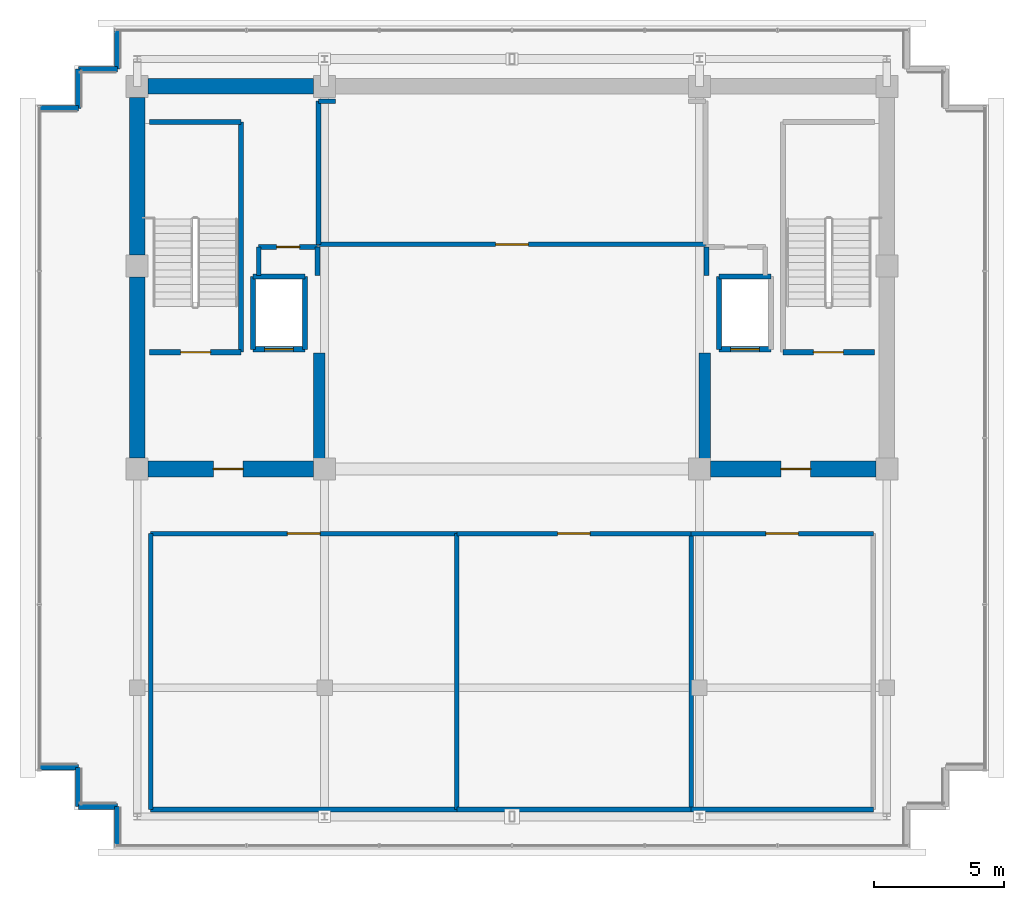
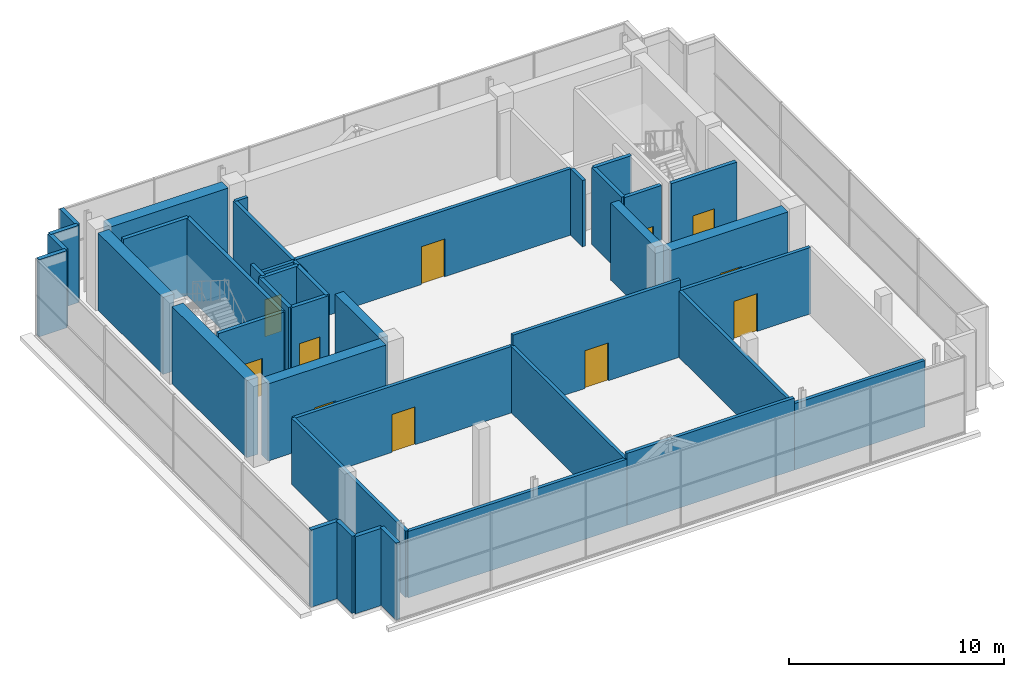
# One storey, part 25 of 28: 42 walls, 11 doors, 11 openings.
"""IFC4 building model written with IfcOpenShell, lengths in metres."""

from ifc_helpers import new_model, si_unit, direction, frame, frame_2d, origin, place, context, subcontext, project, spatial, rectangle, extrude, source, transform, mapped, material, layer, layer_set, type_object, element, fill, save


model = new_model("IFC4")

# Units and contexts
model_context = context("Model", 3, precision=1e-05, world=origin(), true_north=direction((0.0, 1.0)))
body_context = subcontext(model_context, "Body", "Model", "MODEL_VIEW")
ifc_project = project(units=[si_unit("LENGTHUNIT", "METRE"), si_unit("AREAUNIT", "SQUARE_METRE"), si_unit("VOLUMEUNIT", "CUBIC_METRE"), si_unit("PLANEANGLEUNIT", "RADIAN"), si_unit("MASSUNIT", "GRAM", prefix="KILO")], contexts=[model_context])

# Site, building, storey
site_placement = place(None, origin())
site = spatial("IfcSite", under=ifc_project, at=site_placement, CompositionType="ELEMENT")
building_placement = place(site_placement, origin())
building = spatial("IfcBuilding", under=site, at=building_placement, Name="Zarnakvel Exchange Tower", CompositionType="ELEMENT")
storey_placement = place(building_placement, frame((0.0, 0.0, 290.0)))
storey = spatial("IfcBuildingStorey", under=building, at=storey_placement, Name="Crown L81", CompositionType="ELEMENT", Elevation=290.0)

# Walls
ifc_material_1 = material(Name="Concrete C50/60", Category="concrete")
ifc_layer_1 = layer(ifc_material_1, 0.60009765625)
ifc_layer_set_1 = layer_set([ifc_layer_1], Name="Concrete C50/60")
wall_type_1 = type_object("IfcWallType", Name="CW-C5", PredefinedType="SHEAR", material=ifc_layer_set_1)
wall_1_placement = place(storey_placement, frame((-13.97509765625, 13.5, 0.0), z_axis=(0.0, 0.0, 1.0), x_axis=(1.0, 0.0, 0.0)))
element("IfcWall", 1, at=wall_1_placement, inside=storey, type_object=wall_type_1, Name="Crown L81 Rear Core Shear Wall N1 (CW-C5)", PredefinedType="SHEAR", context=body_context, shape_type="SweptSolid", body=[
    extrude(rectangle(XDim=6.35009765625, YDim=0.60009765625, at=frame_2d((3.175048828125, 0.0))), origin(), (0.0, 0.0, 1.0), 4.3798828125),
])
wall_2_placement = place(storey_placement, frame((-14.39990234375, -0.77490234375, 0.0), z_axis=(0.0, 0.0, 1.0), x_axis=(0.0, 1.0, 0.0)))
element("IfcWall", 2, at=wall_2_placement, inside=storey, type_object=wall_type_1, Name="Crown L81 Rear Core Shear Wall W1 (CW-C5)", PredefinedType="SHEAR", context=body_context, shape_type="SweptSolid", body=[
    extrude(rectangle(XDim=6.949951171875, YDim=0.60009765625, at=frame_2d((3.47509765625, 0.0))), origin(), (0.0, 0.0, 1.0), 4.3798828125),
])
wall_3_placement = place(storey_placement, frame((-14.39990234375, 7.02490234375, 0.0), z_axis=(0.0, 0.0, 1.0), x_axis=(0.0, 1.0, 0.0)))
element("IfcWall", 3, at=wall_3_placement, inside=storey, type_object=wall_type_1, Name="Crown L81 Rear Core Shear Wall W2 (CW-C5)", PredefinedType="SHEAR", context=body_context, shape_type="SweptSolid", body=[
    extrude(rectangle(XDim=6.050048828125, YDim=0.60009765625, at=frame_2d((3.02490234375, 0.0))), origin(), (0.0, 0.0, 1.0), 4.3798828125),
])

# Wall, opening, door
wall_4_placement = place(storey_placement, frame((-7.625, -1.199951171875, 0.0), z_axis=(0.0, 0.0, 1.0), x_axis=(-1.0, 0.0, 0.0)))
wall_4 = element("IfcWall", 4, at=wall_4_placement, inside=storey, type_object=wall_type_1, Name="Crown L81 Rear Core Shear Wall SW (CW-C5)", PredefinedType="SHEAR", context=body_context, shape_type="SweptSolid", body=[
    extrude(rectangle(XDim=6.35009765625, YDim=0.60009765625, at=frame_2d((3.175048828125, 0.0))), origin(), (0.0, 0.0, 1.0), 4.3798828125),
])
opening_1_placement = place(wall_4_placement, frame((2.699951171875, 0.0, 0.0)))
opening_1 = element("IfcOpeningElement", 5, at=opening_1_placement, cuts=wall_4, Name="Opening D-Crown L81-03", PredefinedType="OPENING", context=body_context, shape_type="SweptSolid", body=[
    extrude(rectangle(XDim=1.14990234375, YDim=2.14990234375, at=frame_2d((0.574951171875, 1.074951171875))), frame((0.0, 0.31005859375, 0.0), z_axis=(0.0, -1.0, 0.0), x_axis=(1.0, 0.0, 0.0)), (0.0, 0.0, 1.0), 0.6201171875),
])
ifc_material_2 = material(Name="Painted Galvanised Steel S355", Category="steel")
door_type_1 = type_object("IfcDoorType", Name="DT-04", OperationType="NOTDEFINED", PredefinedType="DOOR", material=ifc_material_2)
shared_shape_1 = source(origin(), body_context, "Body", "SweptSolid", [
    extrude(rectangle(XDim=1.14990234375, YDim=2.14990234375, at=frame_2d((0.574951171875, 1.074951171875))), frame((0.0, 0.02490234375, 0.0), z_axis=(0.0, -1.0, 0.0), x_axis=(1.0, 0.0, 0.0)), (0.0, 0.0, 1.0), 0.050048828125),
])
door_1_placement = place(opening_1_placement, origin())
door_1 = element("IfcDoor", 6, at=door_1_placement, inside=storey, type_object=door_type_1, Name="Crown L81 Firefighting Lobby West Door D-Crown L81-03", OperationType="SINGLE_SWING_LEFT", OverallHeight=2.14990234375, OverallWidth=1.14990234375, PredefinedType="DOOR", context=body_context, shape_type="MappedRepresentation", body=[
    mapped(shared_shape_1, transform((0.0, 0.0, 0.0), x_axis=(1.0, 0.0, 0.0), y_axis=(0.0, 1.0, 0.0), z_axis=(0.0, 0.0, 1.0), scale=1.0)),
])
fill(opening_1, door_1)

wall_5_placement = place(storey_placement, frame((13.97509765625, -1.199951171875, 0.0), z_axis=(0.0, 0.0, 1.0), x_axis=(-1.0, 0.0, 0.0)))
wall_5 = element("IfcWall", 7, at=wall_5_placement, inside=storey, type_object=wall_type_1, Name="Crown L81 Rear Core Shear Wall SE (CW-C5)", PredefinedType="SHEAR", context=body_context, shape_type="SweptSolid", body=[
    extrude(rectangle(XDim=6.35009765625, YDim=0.60009765625, at=frame_2d((3.175048828125, 0.0))), origin(), (0.0, 0.0, 1.0), 4.3798828125),
])
opening_2_placement = place(wall_5_placement, frame((2.5, 0.0, 0.0)))
opening_2 = element("IfcOpeningElement", 8, at=opening_2_placement, cuts=wall_5, Name="Opening D-Crown L81-04", PredefinedType="OPENING", context=body_context, shape_type="SweptSolid", body=[
    extrude(rectangle(XDim=1.14990234375, YDim=2.14990234375, at=frame_2d((0.574951171875, 1.074951171875))), frame((0.0, 0.31005859375, 0.0), z_axis=(0.0, -1.0, 0.0), x_axis=(1.0, 0.0, 0.0)), (0.0, 0.0, 1.0), 0.6201171875),
])
door_2_placement = place(opening_2_placement, origin())
door_2 = element("IfcDoor", 9, at=door_2_placement, inside=storey, type_object=door_type_1, Name="Crown L81 Firefighting Lobby East Door D-Crown L81-04", OperationType="SINGLE_SWING_RIGHT", OverallHeight=2.14990234375, OverallWidth=1.14990234375, PredefinedType="DOOR", context=body_context, shape_type="MappedRepresentation", body=[
    mapped(shared_shape_1, transform((0.0, 0.0, 0.0), x_axis=(1.0, 0.0, 0.0), y_axis=(0.0, 1.0, 0.0), z_axis=(0.0, 0.0, 1.0), scale=1.0)),
])
fill(opening_2, door_2)

# Walls
ifc_layer_2 = layer(ifc_material_1, 0.449951171875)
ifc_layer_set_2 = layer_set([ifc_layer_2], Name="Concrete C50/60")
wall_type_2 = type_object("IfcWallType", Name="CW-C6", PredefinedType="SHEAR", material=ifc_layer_set_2)
for number, where, z_axis, x_axis, name in (
    (10, (-7.39990234375, -0.89990234375, 0.0), (0.0, 0.0, 1.0), (0.0, 1.0, 0.0), "Crown L81 Rear Core Shear Wall IW (CW-C6)"),
    (11, (7.39990234375, -0.89990234375, 0.0), (0.0, 0.0, 1.0), (0.0, 1.0, 0.0), "Crown L81 Rear Core Shear Wall IE (CW-C6)"),
):
    element("IfcWall", number, at=place(storey_placement, frame(where, z_axis=z_axis, x_axis=x_axis)), inside=storey, type_object=wall_type_2, Name=name, PredefinedType="SHEAR", context=body_context, shape_type="SweptSolid", body=[
        extrude(rectangle(XDim=4.14990234375, YDim=0.449951171875, at=frame_2d((2.074951171875, 0.0))), origin(), (0.0, 0.0, 1.0), 4.3798828125),
    ])
ifc_material_3 = material(Name="Precast concrete C40/50", Category="concrete")
ifc_layer_3 = layer(ifc_material_3, 0.219970703125)
ifc_layer_set_3 = layer_set([ifc_layer_3], Name="Precast concrete C40/50")
wall_type_3 = type_object("IfcWallType", Name="EW-03", PredefinedType="SOLIDWALL", material=ifc_layer_set_3)
for number, where, z_axis, x_axis, name in (
    (12, (-16.659912109375, 12.659912109375, 0.0), (0.0, 0.0, 1.0), (-1.0, 0.0, 0.0), "Crown L81 Exterior Precast Spandrel Wall EW-Crown L81-C02 (EW-03)"),
    (13, (-16.659912109375, 14.159912109375, 0.0), (0.0, 0.0, 1.0), (0.0, -1.0, 0.0), "Crown L81 Exterior Precast Spandrel Wall EW-Crown L81-C03 (EW-03)"),
    (14, (-15.159912109375, 14.159912109375, 0.0), (0.0, 0.0, 1.0), (-1.0, 0.0, 0.0), "Crown L81 Exterior Precast Spandrel Wall EW-Crown L81-C04 (EW-03)"),
    (15, (-15.159912109375, 15.659912109375, 0.0), (0.0, 0.0, 1.0), (0.0, -1.0, 0.0), "Crown L81 Exterior Precast Spandrel Wall EW-Crown L81-C05 (EW-03)"),
    (16, (-15.159912109375, -14.159912109375, 0.0), (0.0, 0.0, 1.0), (0.0, -1.0, 0.0), "Crown L81 Exterior Precast Spandrel Wall EW-Crown L81-C17 (EW-03)"),
    (17, (-16.659912109375, -14.159912109375, 0.0), (0.0, 0.0, 1.0), (1.0, 0.0, 0.0), "Crown L81 Exterior Precast Spandrel Wall EW-Crown L81-C18 (EW-03)"),
    (18, (-16.659912109375, -12.659912109375, 0.0), (0.0, 0.0, 1.0), (0.0, -1.0, 0.0), "Crown L81 Exterior Precast Spandrel Wall EW-Crown L81-C19 (EW-03)"),
    (19, (-18.159912109375, -12.659912109375, 0.0), (0.0, 0.0, 1.0), (1.0, 0.0, 0.0), "Crown L81 Exterior Precast Spandrel Wall EW-Crown L81-C20 (EW-03)"),
):
    element("IfcWall", number, at=place(storey_placement, frame(where, z_axis=z_axis, x_axis=x_axis)), inside=storey, type_object=wall_type_3, Name=name, PredefinedType="SOLIDWALL", context=body_context, shape_type="SweptSolid", body=[
        extrude(rectangle(XDim=1.5, YDim=0.219970703125, at=frame_2d((0.75, 0.0))), origin(), (0.0, 0.0, 1.0), 4.3798828125),
    ])

# Wall, opening, door
ifc_material_4 = material(Name="Fire-Rated Gypsum Stud Partition", Category="gypsum")
ifc_layer_4 = layer(ifc_material_4, 0.179931640625)
ifc_layer_set_4 = layer_set([ifc_layer_4], Name="Fire-Rated Gypsum Stud Partition")
wall_type_4 = type_object("IfcWallType", Name="PT-02", PredefinedType="PARTITIONING", material=ifc_layer_set_4)
wall_6_placement = place(storey_placement, frame((7.429931640625, 7.429931640625, 0.0), z_axis=(0.0, 0.0, 1.0), x_axis=(-1.0, 0.0, 0.0)))
wall_6 = element("IfcWall", 20, at=wall_6_placement, inside=storey, type_object=wall_type_4, Name="Crown L81 Partition Wall PWALL-Crown L81-007 (PT-02)", PredefinedType="PARTITIONING", context=body_context, shape_type="SweptSolid", body=[
    extrude(rectangle(XDim=14.85986328125, YDim=0.179931640625, at=frame_2d((7.429931640625, 0.0))), origin(), (0.0, 0.0, 1.0), 3.77001953125),
])
opening_3_placement = place(wall_6_placement, frame((6.804931640625, 0.0, 0.0)))
opening_3 = element("IfcOpeningElement", 21, at=opening_3_placement, cuts=wall_6, Name="Opening D-Crown L81-05", PredefinedType="OPENING", context=body_context, shape_type="SweptSolid", body=[
    extrude(rectangle(XDim=1.25, YDim=2.14990234375, at=frame_2d((0.625, 1.074951171875))), frame((0.0, 0.099853515625, 0.0), z_axis=(0.0, -1.0, 0.0), x_axis=(1.0, 0.0, 0.0)), (0.0, 0.0, 1.0), 0.199951171875),
])
door_type_2 = type_object("IfcDoorType", Name="DT-06", OperationType="NOTDEFINED", PredefinedType="DOOR", material=ifc_material_2)
shared_shape_2 = source(origin(), body_context, "Body", "SweptSolid", [
    extrude(rectangle(XDim=1.25, YDim=2.14990234375, at=frame_2d((0.625, 1.074951171875))), frame((0.0, 0.02490234375, 0.0), z_axis=(0.0, -1.0, 0.0), x_axis=(1.0, 0.0, 0.0)), (0.0, 0.0, 1.0), 0.050048828125),
])
door_3_placement = place(opening_3_placement, origin())
door_3 = element("IfcDoor", 22, at=door_3_placement, inside=storey, type_object=door_type_2, Name="Crown L81 High-Rise Lift Machine Room Door D-Crown L81-05", OperationType="SINGLE_SWING_LEFT", OverallHeight=2.14990234375, OverallWidth=1.25, PredefinedType="DOOR", context=body_context, shape_type="MappedRepresentation", body=[
    mapped(shared_shape_2, transform((0.0, 0.0, 0.0), x_axis=(1.0, 0.0, 0.0), y_axis=(0.0, 1.0, 0.0), z_axis=(0.0, 0.0, 1.0), scale=1.0)),
])
fill(opening_3, door_3)

# Walls
wall_7_placement = place(storey_placement, frame((-7.429931640625, 12.929931640625, 0.0), z_axis=(0.0, 0.0, 1.0), x_axis=(1.0, 0.0, 0.0)))
element("IfcWall", 23, at=wall_7_placement, inside=storey, type_object=wall_type_4, Name="Crown L81 Partition Wall PWALL-Crown L81-008 (PT-02)", PredefinedType="PARTITIONING", context=body_context, shape_type="SweptSolid", body=[
    extrude(rectangle(XDim=0.655029296875, YDim=0.179931640625, at=frame_2d((0.32763671875, 0.0))), origin(), (0.0, 0.0, 1.0), 3.77001953125),
])
wall_8_placement = place(storey_placement, frame((-7.429931640625, 7.429931640625, 0.0), z_axis=(0.0, 0.0, 1.0), x_axis=(0.0, 1.0, 0.0)))
element("IfcWall", 24, at=wall_8_placement, inside=storey, type_object=wall_type_4, Name="Crown L81 Partition Wall PWALL-Crown L81-010 (PT-02)", PredefinedType="PARTITIONING", context=body_context, shape_type="SweptSolid", body=[
    extrude(rectangle(XDim=5.5, YDim=0.179931640625, at=frame_2d((2.75, 0.0))), origin(), (0.0, 0.0, 1.0), 3.77001953125),
])

# Wall, opening, door
wall_9_placement = place(storey_placement, frame((-9.72998046875, 7.330078125, 0.0), z_axis=(0.0, 0.0, 1.0), x_axis=(1.0, 0.0, 0.0)))
wall_9 = element("IfcWall", 25, at=wall_9_placement, inside=storey, type_object=wall_type_4, Name="Crown L81 Partition Wall PWALL-Crown L81-012 (PT-02)", PredefinedType="PARTITIONING", context=body_context, shape_type="SweptSolid", body=[
    extrude(rectangle(XDim=2.260009765625, YDim=0.179931640625, at=frame_2d((1.1298828125, 0.0))), origin(), (0.0, 0.0, 1.0), 3.77001953125),
])
opening_4_placement = place(wall_9_placement, frame((0.68994140625, 0.0, 0.0)))
opening_4 = element("IfcOpeningElement", 26, at=opening_4_placement, cuts=wall_9, Name="Opening D-Crown L81-09", PredefinedType="OPENING", context=body_context, shape_type="SweptSolid", body=[
    extrude(rectangle(XDim=0.8798828125, YDim=2.10009765625, at=frame_2d((0.43994140625, 1.050048828125))), frame((0.0, 0.099853515625, 0.0), z_axis=(0.0, -1.0, 0.0), x_axis=(1.0, 0.0, 0.0)), (0.0, 0.0, 1.0), 0.199951171875),
])
door_type_3 = type_object("IfcDoorType", Name="DT-08", OperationType="NOTDEFINED", PredefinedType="DOOR", material=ifc_material_2)
shared_shape_3 = source(origin(), body_context, "Body", "SweptSolid", [
    extrude(rectangle(XDim=0.8798828125, YDim=2.10009765625, at=frame_2d((0.43994140625, 1.050048828125))), frame((0.0, 0.02490234375, 0.0), z_axis=(0.0, -1.0, 0.0), x_axis=(1.0, 0.0, 0.0)), (0.0, 0.0, 1.0), 0.050048828125),
])
door_4_placement = place(opening_4_placement, origin())
door_4 = element("IfcDoor", 27, at=door_4_placement, inside=storey, type_object=door_type_3, Name="Crown L81 Electrical Riser Door D-Crown L81-09", OperationType="SINGLE_SWING_LEFT", OverallHeight=2.10009765625, OverallWidth=0.8798828125, PredefinedType="DOOR", context=body_context, shape_type="MappedRepresentation", body=[
    mapped(shared_shape_3, transform((0.0, 0.0, 0.0), x_axis=(1.0, 0.0, 0.0), y_axis=(0.0, 1.0, 0.0), z_axis=(0.0, 0.0, 1.0), scale=1.0)),
])
fill(opening_4, door_4)

# Walls
wall_10_placement = place(storey_placement, frame((-9.72998046875, 6.239990234375, 0.0), z_axis=(0.0, 0.0, 1.0), x_axis=(0.0, 1.0, 0.0)))
element("IfcWall", 28, at=wall_10_placement, inside=storey, type_object=wall_type_4, Name="Crown L81 Partition Wall PWALL-Crown L81-013 (PT-02)", PredefinedType="PARTITIONING", context=body_context, shape_type="SweptSolid", body=[
    extrude(rectangle(XDim=1.090087890625, YDim=0.179931640625, at=frame_2d((0.544921875, 0.0))), origin(), (0.0, 0.0, 1.0), 4.3798828125),
])
for number, where, z_axis, x_axis, name in (
    (29, (-7.469970703125, 7.330078125, 0.0), (0.0, 0.0, 1.0), (0.0, -1.0, 0.0), "Crown L81 Partition Wall PWALL-Crown L81-014 (PT-02)"),
    (30, (7.469970703125, 6.239990234375, 0.0), (0.0, 0.0, 1.0), (0.0, 1.0, 0.0), "Crown L81 Partition Wall PWALL-Crown L81-016 (PT-02)"),
):
    element("IfcWall", number, at=place(storey_placement, frame(where, z_axis=z_axis, x_axis=x_axis)), inside=storey, type_object=wall_type_4, Name=name, PredefinedType="PARTITIONING", context=body_context, shape_type="SweptSolid", body=[
        extrude(rectangle(XDim=1.090087890625, YDim=0.179931640625, at=frame_2d((0.544921875, 0.0))), origin(), (0.0, 0.0, 1.0), 3.77001953125),
    ])
wall_11_placement = place(storey_placement, frame((-2.1201171875, -14.280029296875, 0.0), z_axis=(0.0, 0.0, 1.0), x_axis=(-1.0, 0.0, 0.0)))
element("IfcWall", 31, at=wall_11_placement, inside=storey, type_object=wall_type_4, Name="Crown L81 Partition Wall PWALL-Crown L81-018 (PT-02)", PredefinedType="PARTITIONING", context=body_context, shape_type="SweptSolid", body=[
    extrude(rectangle(XDim=11.759765625, YDim=0.179931640625, at=frame_2d((5.8798828125, 0.0))), origin(), (0.0, 0.0, 1.0), 3.77001953125),
])

# Wall, opening, door
wall_12_placement = place(storey_placement, frame((-13.8798828125, -3.679931640625, 0.0), z_axis=(0.0, 0.0, 1.0), x_axis=(1.0, 0.0, 0.0)))
wall_12 = element("IfcWall", 32, at=wall_12_placement, inside=storey, type_object=wall_type_4, Name="Crown L81 Partition Wall PWALL-Crown L81-019 (PT-02)", PredefinedType="PARTITIONING", context=body_context, shape_type="SweptSolid", body=[
    extrude(rectangle(XDim=11.759765625, YDim=0.179931640625, at=frame_2d((5.8798828125, 0.0))), origin(), (0.0, 0.0, 1.0), 3.77001953125),
])
opening_5_placement = place(wall_12_placement, frame((5.2548828125, 0.0, 0.0)))
opening_5 = element("IfcOpeningElement", 33, at=opening_5_placement, cuts=wall_12, Name="Opening D-Crown L81-06", PredefinedType="OPENING", context=body_context, shape_type="SweptSolid", body=[
    extrude(rectangle(XDim=1.25, YDim=2.14990234375, at=frame_2d((0.625, 1.074951171875))), frame((0.0, 0.099853515625, 0.0), z_axis=(0.0, -1.0, 0.0), x_axis=(1.0, 0.0, 0.0)), (0.0, 0.0, 1.0), 0.199951171875),
])
door_5_placement = place(opening_5_placement, origin())
door_5 = element("IfcDoor", 34, at=door_5_placement, inside=storey, type_object=door_type_2, Name="Crown L81 Rainwater Harvesting Tank Room Door D-Crown L81-06", OperationType="SINGLE_SWING_RIGHT", OverallHeight=2.14990234375, OverallWidth=1.25, PredefinedType="DOOR", context=body_context, shape_type="MappedRepresentation", body=[
    mapped(shared_shape_2, transform((0.0, 0.0, 0.0), x_axis=(1.0, 0.0, 0.0), y_axis=(0.0, 1.0, 0.0), z_axis=(0.0, 0.0, 1.0), scale=1.0)),
])
fill(opening_5, door_5)

# Walls
for number, where, z_axis, x_axis, name in (
    (35, (-13.8798828125, -14.280029296875, 0.0), (0.0, 0.0, 1.0), (0.0, 1.0, 0.0), "Crown L81 Partition Wall PWALL-Crown L81-020 (PT-02)"),
    (36, (-2.1201171875, -3.679931640625, 0.0), (0.0, 0.0, 1.0), (0.0, -1.0, 0.0), "Crown L81 Partition Wall PWALL-Crown L81-021 (PT-02)"),
):
    element("IfcWall", number, at=place(storey_placement, frame(where, z_axis=z_axis, x_axis=x_axis)), inside=storey, type_object=wall_type_4, Name=name, PredefinedType="PARTITIONING", context=body_context, shape_type="SweptSolid", body=[
        extrude(rectangle(XDim=10.60009765625, YDim=0.179931640625, at=frame_2d((5.300048828125, 0.0))), origin(), (0.0, 0.0, 1.0), 3.77001953125),
    ])
wall_13_placement = place(storey_placement, frame((6.8798828125, -14.280029296875, 0.0), z_axis=(0.0, 0.0, 1.0), x_axis=(-1.0, 0.0, 0.0)))
element("IfcWall", 37, at=wall_13_placement, inside=storey, type_object=wall_type_4, Name="Crown L81 Partition Wall PWALL-Crown L81-022 (PT-02)", PredefinedType="PARTITIONING", context=body_context, shape_type="SweptSolid", body=[
    extrude(rectangle(XDim=9.0, YDim=0.179931640625, at=frame_2d((4.5, 0.0))), origin(), (0.0, 0.0, 1.0), 4.090087890625),
])

# Wall, opening, door
wall_14_placement = place(storey_placement, frame((-2.1201171875, -3.679931640625, 0.0), z_axis=(0.0, 0.0, 1.0), x_axis=(1.0, 0.0, 0.0)))
wall_14 = element("IfcWall", 38, at=wall_14_placement, inside=storey, type_object=wall_type_4, Name="Crown L81 Partition Wall PWALL-Crown L81-023 (PT-02)", PredefinedType="PARTITIONING", context=body_context, shape_type="SweptSolid", body=[
    extrude(rectangle(XDim=9.0, YDim=0.179931640625, at=frame_2d((4.5, 0.0))), origin(), (0.0, 0.0, 1.0), 4.3798828125),
])
opening_6_placement = place(wall_14_placement, frame((3.875, 0.0, 0.0)))
opening_6 = element("IfcOpeningElement", 39, at=opening_6_placement, cuts=wall_14, Name="Opening D-Crown L81-07", PredefinedType="OPENING", context=body_context, shape_type="SweptSolid", body=[
    extrude(rectangle(XDim=1.25, YDim=2.14990234375, at=frame_2d((0.625, 1.074951171875))), frame((0.0, 0.099853515625, 0.0), z_axis=(0.0, -1.0, 0.0), x_axis=(1.0, 0.0, 0.0)), (0.0, 0.0, 1.0), 0.199951171875),
])
door_6_placement = place(opening_6_placement, origin())
door_6 = element("IfcDoor", 40, at=door_6_placement, inside=storey, type_object=door_type_2, Name="Crown L81 Smoke Extract Fan Plant Room Door D-Crown L81-07", OperationType="SINGLE_SWING_LEFT", OverallHeight=2.14990234375, OverallWidth=1.25, PredefinedType="DOOR", context=body_context, shape_type="MappedRepresentation", body=[
    mapped(shared_shape_2, transform((0.0, 0.0, 0.0), x_axis=(1.0, 0.0, 0.0), y_axis=(0.0, 1.0, 0.0), z_axis=(0.0, 0.0, 1.0), scale=1.0)),
])
fill(opening_6, door_6)

# Walls
wall_15_placement = place(storey_placement, frame((6.8798828125, -3.679931640625, 0.0), z_axis=(0.0, 0.0, 1.0), x_axis=(0.0, -1.0, 0.0)))
element("IfcWall", 41, at=wall_15_placement, inside=storey, type_object=wall_type_4, Name="Crown L81 Partition Wall PWALL-Crown L81-024 (PT-02)", PredefinedType="PARTITIONING", context=body_context, shape_type="SweptSolid", body=[
    extrude(rectangle(XDim=10.60009765625, YDim=0.179931640625, at=frame_2d((5.300048828125, 0.0))), origin(), (0.0, 0.0, 1.0), 3.77001953125),
])
wall_16_placement = place(storey_placement, frame((13.8798828125, -14.280029296875, 0.0), z_axis=(0.0, 0.0, 1.0), x_axis=(-1.0, 0.0, 0.0)))
element("IfcWall", 42, at=wall_16_placement, inside=storey, type_object=wall_type_4, Name="Crown L81 Partition Wall PWALL-Crown L81-025 (PT-02)", PredefinedType="PARTITIONING", context=body_context, shape_type="SweptSolid", body=[
    extrude(rectangle(XDim=7.0, YDim=0.179931640625, at=frame_2d((3.5, 0.0))), origin(), (0.0, 0.0, 1.0), 3.77001953125),
])

# Wall, opening, door
wall_17_placement = place(storey_placement, frame((6.8798828125, -3.679931640625, 0.0), z_axis=(0.0, 0.0, 1.0), x_axis=(1.0, 0.0, 0.0)))
wall_17 = element("IfcWall", 43, at=wall_17_placement, inside=storey, type_object=wall_type_4, Name="Crown L81 Partition Wall PWALL-Crown L81-026 (PT-02)", PredefinedType="PARTITIONING", context=body_context, shape_type="SweptSolid", body=[
    extrude(rectangle(XDim=7.0, YDim=0.179931640625, at=frame_2d((3.5, 0.0))), origin(), (0.0, 0.0, 1.0), 3.77001953125),
])
opening_7_placement = place(wall_17_placement, frame((2.875, 0.0, 0.0)))
opening_7 = element("IfcOpeningElement", 44, at=opening_7_placement, cuts=wall_17, Name="Opening D-Crown L81-08", PredefinedType="OPENING", context=body_context, shape_type="SweptSolid", body=[
    extrude(rectangle(XDim=1.25, YDim=2.14990234375, at=frame_2d((0.625, 1.074951171875))), frame((0.0, 0.099853515625, 0.0), z_axis=(0.0, -1.0, 0.0), x_axis=(1.0, 0.0, 0.0)), (0.0, 0.0, 1.0), 0.199951171875),
])
door_7_placement = place(opening_7_placement, origin())
door_7 = element("IfcDoor", 45, at=door_7_placement, inside=storey, type_object=door_type_2, Name="Crown L81 Roof Pressurisation Fan Room Door D-Crown L81-08", OperationType="SINGLE_SWING_RIGHT", OverallHeight=2.14990234375, OverallWidth=1.25, PredefinedType="DOOR", context=body_context, shape_type="MappedRepresentation", body=[
    mapped(shared_shape_2, transform((0.0, 0.0, 0.0), x_axis=(1.0, 0.0, 0.0), y_axis=(0.0, 1.0, 0.0), z_axis=(0.0, 0.0, 1.0), scale=1.0)),
])
fill(opening_7, door_7)

ifc_material_5 = material(Name="Concrete C40/50", Category="concrete")
ifc_layer_5 = layer(ifc_material_5, 0.199951171875)
ifc_layer_set_5 = layer_set([ifc_layer_5], Name="Concrete C40/50")
wall_type_5 = type_object("IfcWallType", Name="SW-01", PredefinedType="SOLIDWALL", material=ifc_layer_set_5)
wall_18_placement = place(storey_placement, frame((-7.949951171875, 3.39990234375, 0.0), z_axis=(0.0, 0.0, 1.0), x_axis=(-1.0, 0.0, 0.0)))
wall_18 = element("IfcWall", 46, at=wall_18_placement, inside=storey, type_object=wall_type_5, Name="Crown L81 FL-01 Hoistway Wall South", PredefinedType="SOLIDWALL", context=body_context, shape_type="SweptSolid", body=[
    extrude(rectangle(XDim=2.0, YDim=0.199951171875, at=frame_2d((1.0, 0.0))), origin(), (0.0, 0.0, 1.0), 4.3798828125),
])
opening_8_placement = place(wall_18_placement, frame((0.449951171875, 0.0, 0.0)))
opening_8 = element("IfcOpeningElement", 47, at=opening_8_placement, cuts=wall_18, Name="Opening LD-FL-01-Crown L81", PredefinedType="OPENING", context=body_context, shape_type="SweptSolid", body=[
    extrude(rectangle(XDim=1.10009765625, YDim=2.199951171875, at=frame_2d((0.550048828125, 1.10009765625))), frame((0.0, 0.10986328125, 0.0), z_axis=(0.0, -1.0, 0.0), x_axis=(1.0, 0.0, 0.0)), (0.0, 0.0, 1.0), 0.219970703125),
])
ifc_material_6 = material(Name="Brushed Stainless Steel", Category="steel")
door_type_4 = type_object("IfcDoorType", Name="LDT-01", OperationType="NOTDEFINED", PredefinedType="DOOR", material=ifc_material_6)
shared_shape_4 = source(origin(), body_context, "Body", "SweptSolid", [
    extrude(rectangle(XDim=1.10009765625, YDim=2.199951171875, at=frame_2d((0.550048828125, 1.10009765625))), frame((0.0, 0.02490234375, 0.0), z_axis=(0.0, -1.0, 0.0), x_axis=(1.0, 0.0, 0.0)), (0.0, 0.0, 1.0), 0.050048828125),
])
door_8_placement = place(opening_8_placement, origin())
door_8 = element("IfcDoor", 48, at=door_8_placement, inside=storey, type_object=door_type_4, Name="Crown L81 FL-01 Lift Landing Door LD-FL-01-Crown L81", OperationType="DOUBLE_DOOR_SLIDING", OverallHeight=2.199951171875, OverallWidth=1.10009765625, PredefinedType="DOOR", context=body_context, shape_type="MappedRepresentation", body=[
    mapped(shared_shape_4, transform((0.0, 0.0, 0.0), x_axis=(1.0, 0.0, 0.0), y_axis=(0.0, 1.0, 0.0), z_axis=(0.0, 0.0, 1.0), scale=1.0)),
])
fill(opening_8, door_8)

# Walls
wall_19_placement = place(storey_placement, frame((-9.949951171875, 6.199951171875, 0.0), z_axis=(0.0, 0.0, 1.0), x_axis=(1.0, 0.0, 0.0)))
element("IfcWall", 49, at=wall_19_placement, inside=storey, type_object=wall_type_5, Name="Crown L81 FL-01 Hoistway Wall North", PredefinedType="SOLIDWALL", context=body_context, shape_type="SweptSolid", body=[
    extrude(rectangle(XDim=2.0, YDim=0.199951171875, at=frame_2d((1.0, 0.0))), origin(), (0.0, 0.0, 1.0), 4.3798828125),
])
for number, where, z_axis, x_axis, name in (
    (50, (-9.949951171875, 3.39990234375, 0.0), (0.0, 0.0, 1.0), (0.0, 1.0, 0.0), "Crown L81 FL-01 Hoistway Wall West"),
    (51, (-7.949951171875, 6.199951171875, 0.0), (0.0, 0.0, 1.0), (0.0, -1.0, 0.0), "Crown L81 FL-01 Hoistway Wall East"),
):
    element("IfcWall", number, at=place(storey_placement, frame(where, z_axis=z_axis, x_axis=x_axis)), inside=storey, type_object=wall_type_5, Name=name, PredefinedType="SOLIDWALL", context=body_context, shape_type="SweptSolid", body=[
        extrude(rectangle(XDim=2.800048828125, YDim=0.199951171875, at=frame_2d((1.39990234375, 0.0))), origin(), (0.0, 0.0, 1.0), 4.3798828125),
    ])

# Wall, opening, door
wall_20_placement = place(storey_placement, frame((9.949951171875, 3.39990234375, 0.0), z_axis=(0.0, 0.0, 1.0), x_axis=(-1.0, 0.0, 0.0)))
wall_20 = element("IfcWall", 52, at=wall_20_placement, inside=storey, type_object=wall_type_5, Name="Crown L81 FL-02 Hoistway Wall South", PredefinedType="SOLIDWALL", context=body_context, shape_type="SweptSolid", body=[
    extrude(rectangle(XDim=2.0, YDim=0.199951171875, at=frame_2d((1.0, 0.0))), origin(), (0.0, 0.0, 1.0), 4.3798828125),
])
opening_9_placement = place(wall_20_placement, frame((0.449951171875, 0.0, 0.0)))
opening_9 = element("IfcOpeningElement", 53, at=opening_9_placement, cuts=wall_20, Name="Opening LD-FL-02-Crown L81", PredefinedType="OPENING", context=body_context, shape_type="SweptSolid", body=[
    extrude(rectangle(XDim=1.10009765625, YDim=2.199951171875, at=frame_2d((0.550048828125, 1.10009765625))), frame((0.0, 0.10986328125, 0.0), z_axis=(0.0, -1.0, 0.0), x_axis=(1.0, 0.0, 0.0)), (0.0, 0.0, 1.0), 0.219970703125),
])
door_9_placement = place(opening_9_placement, origin())
door_9 = element("IfcDoor", 54, at=door_9_placement, inside=storey, type_object=door_type_4, Name="Crown L81 FL-02 Lift Landing Door LD-FL-02-Crown L81", OperationType="DOUBLE_DOOR_SLIDING", OverallHeight=2.199951171875, OverallWidth=1.10009765625, PredefinedType="DOOR", context=body_context, shape_type="MappedRepresentation", body=[
    mapped(shared_shape_4, transform((0.0, 0.0, 0.0), x_axis=(1.0, 0.0, 0.0), y_axis=(0.0, 1.0, 0.0), z_axis=(0.0, 0.0, 1.0), scale=1.0)),
])
fill(opening_9, door_9)

# Walls
wall_21_placement = place(storey_placement, frame((7.949951171875, 6.199951171875, 0.0), z_axis=(0.0, 0.0, 1.0), x_axis=(1.0, 0.0, 0.0)))
element("IfcWall", 55, at=wall_21_placement, inside=storey, type_object=wall_type_5, Name="Crown L81 FL-02 Hoistway Wall North", PredefinedType="SOLIDWALL", context=body_context, shape_type="SweptSolid", body=[
    extrude(rectangle(XDim=2.0, YDim=0.199951171875, at=frame_2d((1.0, 0.0))), origin(), (0.0, 0.0, 1.0), 4.3798828125),
])
wall_22_placement = place(storey_placement, frame((7.949951171875, 3.39990234375, 0.0), z_axis=(0.0, 0.0, 1.0), x_axis=(0.0, 1.0, 0.0)))
element("IfcWall", 56, at=wall_22_placement, inside=storey, type_object=wall_type_5, Name="Crown L81 FL-02 Hoistway Wall West", PredefinedType="SOLIDWALL", context=body_context, shape_type="SweptSolid", body=[
    extrude(rectangle(XDim=2.800048828125, YDim=0.199951171875, at=frame_2d((1.39990234375, 0.0))), origin(), (0.0, 0.0, 1.0), 4.3798828125),
])

# Wall, opening, door
ifc_layer_6 = layer(ifc_material_5, 0.199951171875)
ifc_layer_set_6 = layer_set([ifc_layer_6], Name="Concrete C40/50")
wall_type_6 = type_object("IfcWallType", Name="SW-02", PredefinedType="SOLIDWALL", material=ifc_layer_set_6)
wall_23_placement = place(storey_placement, frame((-10.409912109375, 3.2900390625, 0.0), z_axis=(0.0, 0.0, 1.0), x_axis=(-1.0, 0.0, 0.0)))
wall_23 = element("IfcWall", 57, at=wall_23_placement, inside=storey, type_object=wall_type_6, Name="Crown L81 Stairwell Core Wall PWALL-Crown L81-001 (SW-02)", PredefinedType="SOLIDWALL", context=body_context, shape_type="SweptSolid", body=[
    extrude(rectangle(XDim=3.52001953125, YDim=0.199951171875, at=frame_2d((1.760009765625, 0.0))), origin(), (0.0, 0.0, 1.0), 4.3798828125),
])
opening_10_placement = place(wall_23_placement, frame((1.1650390625, 0.0, 0.0)))
opening_10 = element("IfcOpeningElement", 58, at=opening_10_placement, cuts=wall_23, Name="Opening D-Crown L81-01", PredefinedType="OPENING", context=body_context, shape_type="SweptSolid", body=[
    extrude(rectangle(XDim=1.14990234375, YDim=2.14990234375, at=frame_2d((0.574951171875, 1.074951171875))), frame((0.0, 0.10986328125, 0.0), z_axis=(0.0, -1.0, 0.0), x_axis=(1.0, 0.0, 0.0)), (0.0, 0.0, 1.0), 0.219970703125),
])
door_10_placement = place(opening_10_placement, origin())
door_10 = element("IfcDoor", 59, at=door_10_placement, inside=storey, type_object=door_type_1, Name="Crown L81 Stairwell ST-01 Door D-Crown L81-01", OperationType="SINGLE_SWING_LEFT", OverallHeight=2.14990234375, OverallWidth=1.14990234375, PredefinedType="DOOR", context=body_context, shape_type="MappedRepresentation", body=[
    mapped(shared_shape_1, transform((0.0, 0.0, 0.0), x_axis=(1.0, 0.0, 0.0), y_axis=(0.0, 1.0, 0.0), z_axis=(0.0, 0.0, 1.0), scale=1.0)),
])
fill(opening_10, door_10)

# Walls
wall_24_placement = place(storey_placement, frame((-13.929931640625, 12.1298828125, 0.0), z_axis=(0.0, 0.0, 1.0), x_axis=(1.0, 0.0, 0.0)))
element("IfcWall", 60, at=wall_24_placement, inside=storey, type_object=wall_type_6, Name="Crown L81 Stairwell Core Wall PWALL-Crown L81-002 (SW-02)", PredefinedType="SOLIDWALL", context=body_context, shape_type="SweptSolid", body=[
    extrude(rectangle(XDim=3.52001953125, YDim=0.199951171875, at=frame_2d((1.760009765625, 0.0))), origin(), (0.0, 0.0, 1.0), 4.3798828125),
])
wall_25_placement = place(storey_placement, frame((-10.409912109375, 12.1298828125, 0.0), z_axis=(0.0, 0.0, 1.0), x_axis=(0.0, -1.0, 0.0)))
element("IfcWall", 61, at=wall_25_placement, inside=storey, type_object=wall_type_6, Name="Crown L81 Stairwell Core Wall PWALL-Crown L81-003 (SW-02)", PredefinedType="SOLIDWALL", context=body_context, shape_type="SweptSolid", body=[
    extrude(rectangle(XDim=8.83984375, YDim=0.199951171875, at=frame_2d((4.419921875, 0.0))), origin(), (0.0, 0.0, 1.0), 4.3798828125),
])

# Wall, opening, door
wall_26_placement = place(storey_placement, frame((13.929931640625, 3.2900390625, 0.0), z_axis=(0.0, 0.0, 1.0), x_axis=(-1.0, 0.0, 0.0)))
wall_26 = element("IfcWall", 62, at=wall_26_placement, inside=storey, type_object=wall_type_6, Name="Crown L81 Stairwell Core Wall PWALL-Crown L81-004 (SW-02)", PredefinedType="SOLIDWALL", context=body_context, shape_type="SweptSolid", body=[
    extrude(rectangle(XDim=3.52001953125, YDim=0.199951171875, at=frame_2d((1.760009765625, 0.0))), origin(), (0.0, 0.0, 1.0), 4.3798828125),
])
opening_11_placement = place(wall_26_placement, frame((1.205078125, 0.0, 0.0)))
opening_11 = element("IfcOpeningElement", 63, at=opening_11_placement, cuts=wall_26, Name="Opening D-Crown L81-02", PredefinedType="OPENING", context=body_context, shape_type="SweptSolid", body=[
    extrude(rectangle(XDim=1.14990234375, YDim=2.14990234375, at=frame_2d((0.574951171875, 1.074951171875))), frame((0.0, 0.10986328125, 0.0), z_axis=(0.0, -1.0, 0.0), x_axis=(1.0, 0.0, 0.0)), (0.0, 0.0, 1.0), 0.219970703125),
])
door_11_placement = place(opening_11_placement, origin())
door_11 = element("IfcDoor", 64, at=door_11_placement, inside=storey, type_object=door_type_1, Name="Crown L81 Stairwell ST-02 Door D-Crown L81-02", OperationType="SINGLE_SWING_RIGHT", OverallHeight=2.14990234375, OverallWidth=1.14990234375, PredefinedType="DOOR", context=body_context, shape_type="MappedRepresentation", body=[
    mapped(shared_shape_1, transform((0.0, 0.0, 0.0), x_axis=(1.0, 0.0, 0.0), y_axis=(0.0, 1.0, 0.0), z_axis=(0.0, 0.0, 1.0), scale=1.0)),
])
fill(opening_11, door_11)

save(model, "model.ifc")
